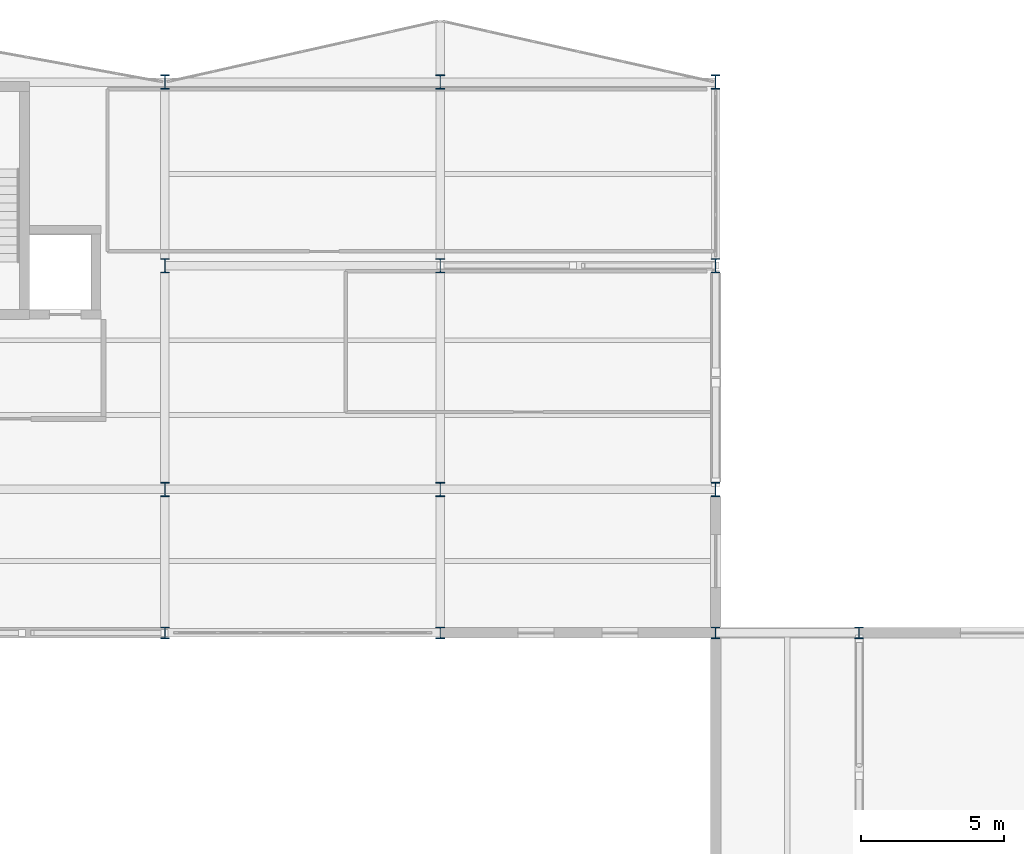
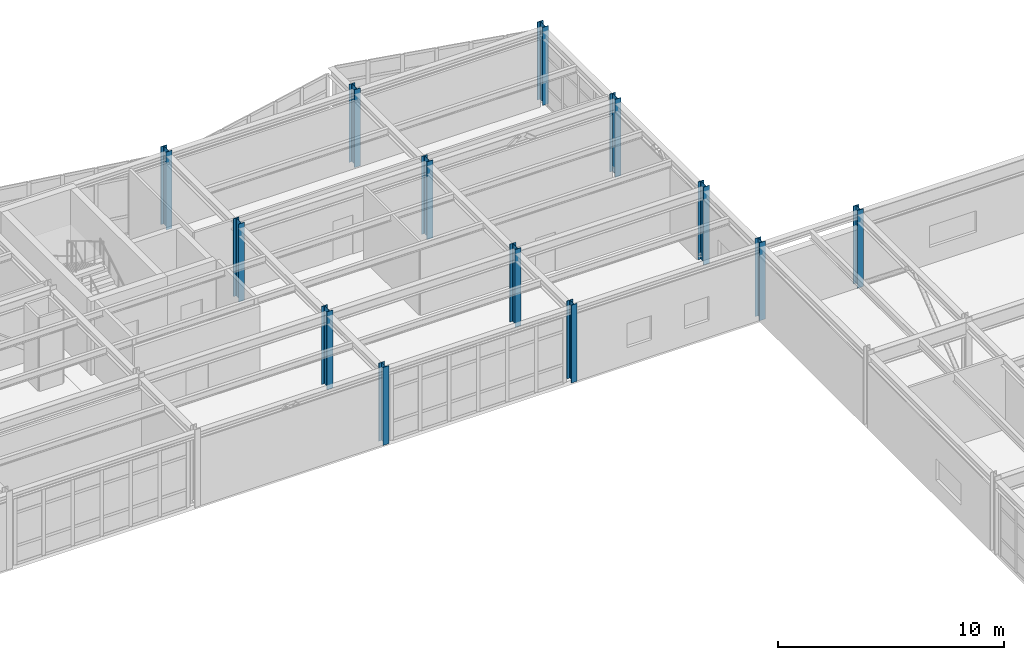
# One storey, part 10 of 88: 13 columns.
"""IFC4 building model written with IfcOpenShell, lengths in metres."""

import ifcopenshell
import ifcopenshell.guid

model = None  # the IFC model being written
_history = None  # IfcOwnerHistory: only IFC2X3 demands one
_inside = {}  # id of a spatial element -> (the spatial element, [elements in it])
_under = {}  # id of a project, library or spatial element -> (it, [spatial elements below it])
_declared = {}  # id of a project -> (the project, [libraries it declares])
_typed = {}  # id of a type object -> (the type object, [elements of that type])
_made_of = {}  # id of a material, layer set ... -> (it, [elements and type objects made of it])


def new_model(schema):
    """Start an empty IFC model of exactly this schema.

    Asked for "IFC4X3", IfcOpenShell would pick the latest addendum, in which some entities
    have other attributes; the version numbers below select the first issue.
    IFC2X3 requires an IfcOwnerHistory on every rooted entity: one is made here for all.
    """
    global model, _history
    if schema == "IFC4X3":
        model = ifcopenshell.file(schema_version=(4, 3, 0, 0))
    else:
        model = ifcopenshell.file(schema=schema)
    _inside.clear()
    _under.clear()
    _declared.clear()
    _typed.clear()
    _made_of.clear()
    _history = None
    if model.schema == "IFC2X3":
        org = make("IfcOrganization", Name="unknown")
        user = make(
            "IfcPersonAndOrganization",
            ThePerson=make("IfcPerson", FamilyName="unknown"),
            TheOrganization=org,
        )
        app = make(
            "IfcApplication",
            ApplicationDeveloper=org,
            Version="unknown",
            ApplicationFullName="unknown",
            ApplicationIdentifier="unknown",
        )
        _history = make(
            "IfcOwnerHistory",
            OwningUser=user,
            OwningApplication=app,
            ChangeAction="ADDED",
            CreationDate=0,
        )
    return model


def make(cls, **values):
    """One entity of the class cls with the attributes given. An attribute that is None is left unset."""
    return model.create_entity(
        cls, **{name: value for name, value in values.items() if value is not None}
    )


def rooted(cls, **values):
    """An entity with a GlobalId (a new one), such as an element, a storey or a relation."""
    return make(cls, GlobalId=ifcopenshell.guid.new(), OwnerHistory=_history, **values)


def si_unit(unit_type, name, prefix=None):
    """IfcSIUnit, for example si_unit("LENGTHUNIT", "METRE", prefix="MILLI")."""
    return make("IfcSIUnit", UnitType=unit_type, Prefix=prefix, Name=name)


def assignment(units):
    """IfcUnitAssignment: the units of a project."""
    return None if units is None else make("IfcUnitAssignment", Units=units)


def point(xyz):
    """IfcCartesianPoint."""
    return None if xyz is None else make("IfcCartesianPoint", Coordinates=xyz)


def direction(xyz):
    """IfcDirection."""
    return None if xyz is None else make("IfcDirection", DirectionRatios=xyz)


def frame(location, z_axis=None, x_axis=None):
    """IfcAxis2Placement3D, a coordinate frame: its origin and axes. An axis left out is left unset."""
    return make(
        "IfcAxis2Placement3D",
        Location=point(location),
        Axis=direction(z_axis),
        RefDirection=direction(x_axis),
    )


def frame_2d(location, x_axis=None):
    """IfcAxis2Placement2D, a coordinate frame in the plane: its origin and x axis."""
    return make(
        "IfcAxis2Placement2D", Location=point(location), RefDirection=direction(x_axis)
    )


def origin():
    """The frame at (0, 0, 0) with its axes left unset."""
    return frame((0.0, 0.0, 0.0))


def origin_2d():
    """The frame at (0, 0) in the plane with its x axis left unset."""
    return frame_2d((0.0, 0.0))


def place(relative_to, where):
    """IfcLocalPlacement: puts the frame where relative to a parent placement (None: the world)."""
    return make(
        "IfcLocalPlacement", PlacementRelTo=relative_to, RelativePlacement=where
    )


def context(
    kind, dimensions, precision=None, world=None, true_north=None, identifier=None
):
    """IfcGeometricRepresentationContext, for example the 3D "Model" context."""
    return make(
        "IfcGeometricRepresentationContext",
        ContextIdentifier=identifier,
        ContextType=kind,
        CoordinateSpaceDimension=dimensions,
        Precision=precision,
        WorldCoordinateSystem=world,
        TrueNorth=true_north,
    )


def subcontext(parent, identifier, kind, view, scale=None):
    """IfcGeometricRepresentationSubContext, for example "Body" below "Model"."""
    return make(
        "IfcGeometricRepresentationSubContext",
        ContextIdentifier=identifier,
        ContextType=kind,
        ParentContext=parent,
        TargetScale=scale,
        TargetView=view,
    )


def project(units=None, contexts=None):
    """IfcProject with its units and contexts."""
    return rooted(
        "IfcProject",
        Name="project",
        RepresentationContexts=contexts,
        UnitsInContext=assignment(units),
    )


def spatial(cls, under=None, at=None, **own):
    """A site, building, storey or space (cls), placed at a placement, below another one or the project."""
    s = rooted(cls, ObjectPlacement=at, **own)
    if under is not None:
        _under.setdefault(under.id(), (under, []))[1].append(s)
    return s


def profile(cls, at=None, kind="AREA", **sizes):
    """A parametric profile (cls). Its sizes go by their IFC names, for example OverallWidth=200.0."""
    return make(cls, ProfileType=kind, Position=at, **sizes)


def i_section(**sizes):
    """IfcIShapeProfileDef."""
    return profile("IfcIShapeProfileDef", **sizes)


def extrude(swept, where, along, depth):
    """IfcExtrudedAreaSolid: the profile swept, set in the frame where, extruded along a direction by depth."""
    return make(
        "IfcExtrudedAreaSolid",
        SweptArea=swept,
        Position=where,
        ExtrudedDirection=direction(along),
        Depth=depth,
    )


def shape(context_of_items, identifier, shape_type, items):
    """IfcShapeRepresentation: the items that make up one representation, for example the "Body"."""
    return make(
        "IfcShapeRepresentation",
        ContextOfItems=context_of_items,
        RepresentationIdentifier=identifier,
        RepresentationType=shape_type,
        Items=items,
    )


def material(Name=None, Category=None):
    """IfcMaterial."""
    return make("IfcMaterial", Name=Name, Category=Category)


def material_profile(
    of_material, cross_section, Name=None, Category=None, Priority=None
):
    """IfcMaterialProfile: a cross section and its material."""
    return make(
        "IfcMaterialProfile",
        Name=Name,
        Material=of_material,
        Profile=cross_section,
        Priority=Priority,
        Category=Category,
    )


def profile_set(profiles, Name=None, composite=None):
    """IfcMaterialProfileSet."""
    return make(
        "IfcMaterialProfileSet",
        Name=Name,
        MaterialProfiles=profiles,
        CompositeProfile=composite,
    )


def made_of(thing, what):
    """Note that an element or type object is made of a material, layer set ...; save() writes the relation."""
    if what is not None:
        _made_of.setdefault(what.id(), (what, []))[1].append(thing)
    return thing


def type_object(cls, material=None, **own):
    """A type object (cls), such as IfcWallType, which elements share."""
    return made_of(rooted(cls, **own), material)


def element(
    cls,
    number,
    at=None,
    inside=None,
    cuts=None,
    type_object=None,
    material=None,
    context=None,
    identifier="Body",
    shape_type=None,
    held_by="IfcProductDefinitionShape",
    body=None,
    shapes=None,
    **own,
):
    """One element of the class cls, such as IfcWall. Its Tag is "e" and its number.

    at: its placement. inside: the storey or other place that contains it. cuts: it is an
    opening in that element (IfcRelVoidsElement). A single representation is given by context,
    identifier, shape_type and body (its items); several are given by shapes. held_by: the class
    of the entity that holds the representations. save() writes the other relations.
    """
    e = rooted(cls, Tag="e%d" % number, ObjectPlacement=at, **own)
    if body is not None:
        shapes = [shape(context, identifier, shape_type, body)]
    if shapes is not None:
        e.Representation = make(held_by, Representations=shapes)
    if inside is not None:
        _inside.setdefault(inside.id(), (inside, []))[1].append(e)
    if cuts is not None:
        rooted(
            "IfcRelVoidsElement", RelatingBuildingElement=cuts, RelatedOpeningElement=e
        )
    if type_object is not None:
        _typed.setdefault(type_object.id(), (type_object, []))[1].append(e)
    return made_of(e, material)


def aggregate(whole, parts):
    """IfcRelAggregates: a whole, such as a stair, and the parts it consists of."""
    return rooted("IfcRelAggregates", RelatingObject=whole, RelatedObjects=parts)


def save(model, path):
    """Write the relations noted so far, then the file.

    IfcRelAggregates (storeys below a building ...), IfcRelContainedInSpatialStructure (elements
    in a storey), IfcRelDefinesByType, IfcRelAssociatesMaterial and IfcRelDeclares: one each for
    every whole, place, type object, material and project.
    """
    for whole, parts in _under.values():
        aggregate(whole, parts)
    for where, things in _inside.values():
        rooted(
            "IfcRelContainedInSpatialStructure",
            RelatedElements=things,
            RelatingStructure=where,
        )
    for kind, things in _typed.values():
        rooted("IfcRelDefinesByType", RelatedObjects=things, RelatingType=kind)
    for what, things in _made_of.values():
        rooted("IfcRelAssociatesMaterial", RelatedObjects=things, RelatingMaterial=what)
    for by, libraries in _declared.values():
        rooted("IfcRelDeclares", RelatingContext=by, RelatedDefinitions=libraries)
    model.write(path)


model = new_model("IFC4")

# Units and contexts
model_context = context("Model", 3, precision=1e-05, world=origin(), true_north=direction((0.0, 1.0)))
body_context = subcontext(model_context, "Body", "Model", "MODEL_VIEW")
ifc_project = project(units=[si_unit("LENGTHUNIT", "METRE"), si_unit("AREAUNIT", "SQUARE_METRE"), si_unit("VOLUMEUNIT", "CUBIC_METRE"), si_unit("PLANEANGLEUNIT", "RADIAN"), si_unit("MASSUNIT", "GRAM", prefix="KILO")], contexts=[model_context])

# Site, building, storey
site_placement = place(None, origin())
site = spatial("IfcSite", under=ifc_project, at=site_placement, CompositionType="ELEMENT")
building_placement = place(site_placement, origin())
building = spatial("IfcBuilding", under=site, at=building_placement, Name="Nordkorset Police Headquarters", CompositionType="ELEMENT")
storey_placement = place(building_placement, frame((0.0, 0.0, 9.449951171875)))
storey = spatial("IfcBuildingStorey", under=building, at=storey_placement, Name="L02", CompositionType="ELEMENT", Elevation=9.449951171875)

# Columns
ifc_material_1 = material(Name="Steel S355J2", Category="steel")
ifc_material_profile_1 = material_profile(ifc_material_1, i_section(OverallWidth=0.300048828125, OverallDepth=0.39990234375, WebThickness=0.013427734375, FlangeThickness=0.02392578125, FilletRadius=0.027099609375, at=origin_2d()), Name="HEB 400")
ifc_profile_set_1 = profile_set([ifc_material_profile_1], Name="Steel S355J2")
column_type_1 = type_object("IfcColumnType", Name="Col_HEB_400", PredefinedType="COLUMN", material=ifc_profile_set_1)
for number, where, z_axis, x_axis, name in (
    (1, (67.199951171875, 97.60009765625, 0.0), (0.0, 0.0, 1.0), (1.0, 0.0, 0.0), "Structural Column V2_Y0_3 L02"),
    (2, (76.800048828125, 97.60009765625, 0.0), (0.0, 0.0, 1.0), (1.0, 0.0, 0.0), "Structural Column V2_Y0_4 L02"),
    (3, (86.39990234375, 97.60009765625, 0.0), (0.0, 0.0, 1.0), (1.0, 0.0, 0.0), "Structural Column V2_Y0_5 L02"),
    (4, (91.39990234375, 97.60009765625, 0.0), (0.0, 0.0, 1.0), (1.0, 0.0, 0.0), "Structural Column V5_X1_5 L02"),
):
    element("IfcColumn", number, at=place(storey_placement, frame(where, z_axis=z_axis, x_axis=x_axis)), inside=storey, type_object=column_type_1, Name=name, PredefinedType="COLUMN", context=body_context, shape_type="SweptSolid", body=[
        extrude(i_section(OverallWidth=0.300048828125, OverallDepth=0.39990234375, WebThickness=0.013427734375, FlangeThickness=0.02392578125, FilletRadius=0.027099609375, at=origin_2d()), origin(), (0.0, 0.0, 1.0), 4.199951171875),
    ])
ifc_material_2 = material(Name="Steel S355J2", Category="steel")
ifc_material_profile_2 = material_profile(ifc_material_2, i_section(OverallWidth=0.300048828125, OverallDepth=0.5, WebThickness=0.014404296875, FlangeThickness=0.028076171875, FilletRadius=0.027099609375, at=origin_2d()), Name="HEB 500")
ifc_profile_set_2 = profile_set([ifc_material_profile_2], Name="Steel S355J2")
column_type_2 = type_object("IfcColumnType", Name="Col_HEB_500", PredefinedType="COLUMN", material=ifc_profile_set_2)
for number, where, z_axis, x_axis, name in (
    (5, (67.199951171875, 102.60009765625, 0.0), (0.0, 0.0, 1.0), (1.0, 0.0, 0.0), "Structural Column V2_Y1_3 L02"),
    (6, (67.199951171875, 110.39990234375, 0.0), (0.0, 0.0, 1.0), (1.0, 0.0, 0.0), "Structural Column V2_Y2_3 L02"),
    (7, (67.199951171875, 116.800048828125, 0.0), (0.0, 0.0, 1.0), (1.0, 0.0, 0.0), "Structural Column V2_Y3_3 L02"),
    (8, (76.800048828125, 102.60009765625, 0.0), (0.0, 0.0, 1.0), (1.0, 0.0, 0.0), "Structural Column V2_Y1_4 L02"),
    (9, (76.800048828125, 110.39990234375, 0.0), (0.0, 0.0, 1.0), (1.0, 0.0, 0.0), "Structural Column V2_Y2_4 L02"),
    (10, (76.800048828125, 116.800048828125, 0.0), (0.0, 0.0, 1.0), (1.0, 0.0, 0.0), "Structural Column V2_Y3_4 L02"),
    (11, (86.39990234375, 102.60009765625, 0.0), (0.0, 0.0, 1.0), (1.0, 0.0, 0.0), "Structural Column V2_Y1_5 L02"),
    (12, (86.39990234375, 110.39990234375, 0.0), (0.0, 0.0, 1.0), (1.0, 0.0, 0.0), "Structural Column V2_Y2_5 L02"),
    (13, (86.39990234375, 116.800048828125, 0.0), (0.0, 0.0, 1.0), (1.0, 0.0, 0.0), "Structural Column V2_Y3_5 L02"),
):
    element("IfcColumn", number, at=place(storey_placement, frame(where, z_axis=z_axis, x_axis=x_axis)), inside=storey, type_object=column_type_2, Name=name, PredefinedType="COLUMN", context=body_context, shape_type="SweptSolid", body=[
        extrude(i_section(OverallWidth=0.300048828125, OverallDepth=0.5, WebThickness=0.014404296875, FlangeThickness=0.028076171875, FilletRadius=0.027099609375, at=origin_2d()), origin(), (0.0, 0.0, 1.0), 4.199951171875),
    ])

save(model, "model.ifc")
